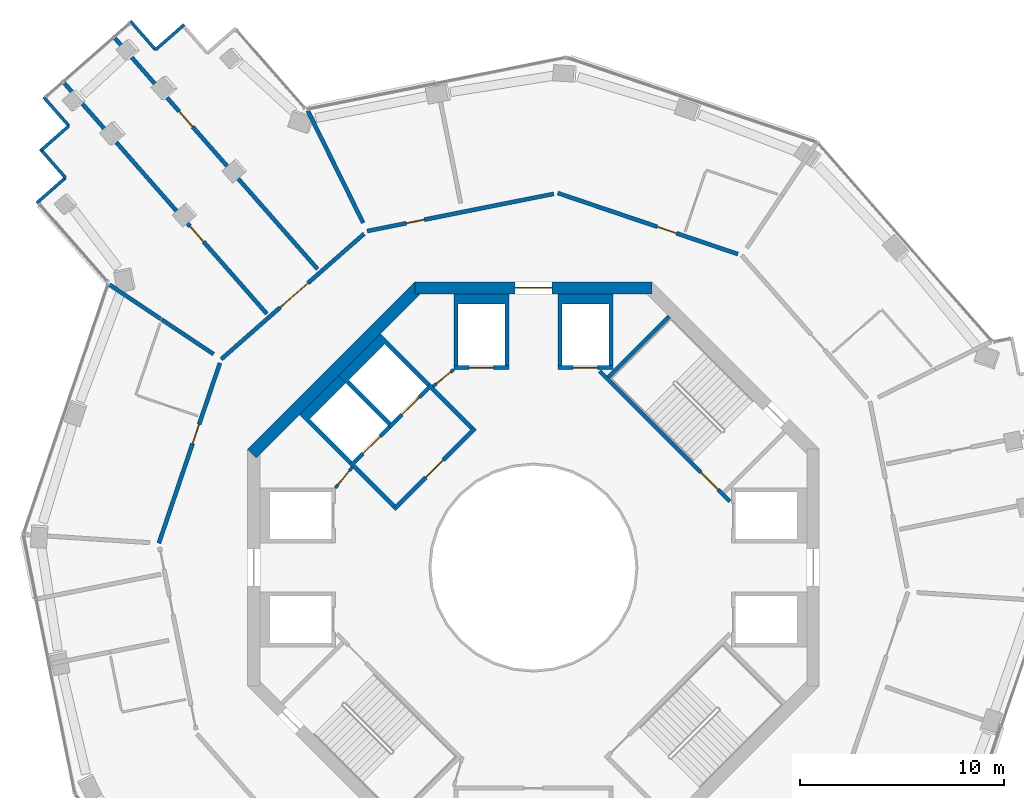
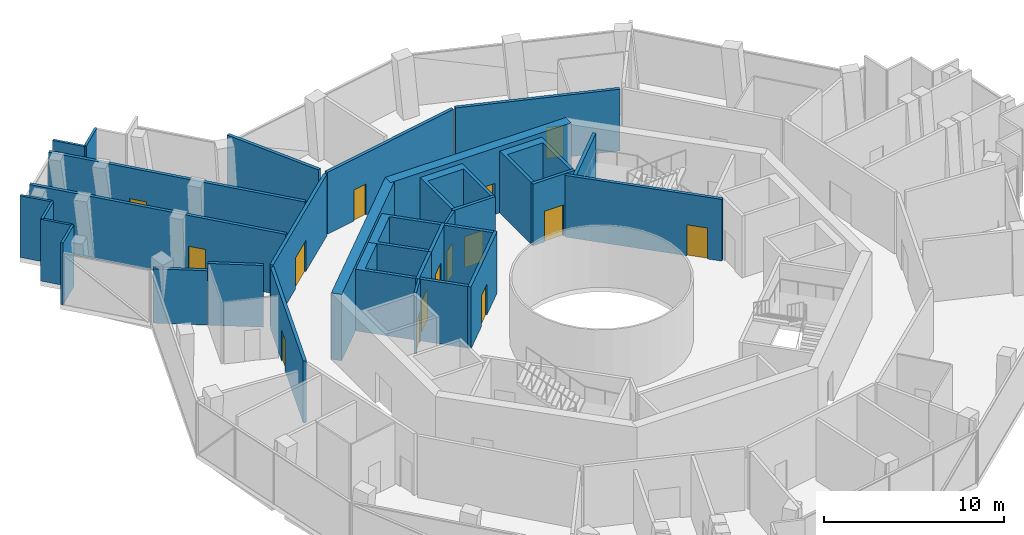
# One storey, part 13 of 17: 32 walls, 15 doors, 15 openings.
"""IFC4 building model written with IfcOpenShell, lengths in metres."""

from ifc_helpers import new_model, si_unit, direction, frame, frame_2d, origin, place, context, subcontext, project, spatial, polyline, rectangle, outline, extrude, material, layer, layer_set, type_object, element, fill, save


model = new_model("IFC4")

# Units and contexts
model_context = context("Model", 3, precision=1e-05, world=origin(), true_north=direction((0.0, 1.0)))
body_context = subcontext(model_context, "Body", "Model", "MODEL_VIEW")
ifc_project = project(units=[si_unit("LENGTHUNIT", "METRE"), si_unit("AREAUNIT", "SQUARE_METRE"), si_unit("VOLUMEUNIT", "CUBIC_METRE"), si_unit("PLANEANGLEUNIT", "RADIAN"), si_unit("MASSUNIT", "GRAM", prefix="KILO")], contexts=[model_context])

# Site, building, storey
site_placement = place(None, origin())
site = spatial("IfcSite", under=ifc_project, at=site_placement, CompositionType="ELEMENT")
building_placement = place(site_placement, origin())
building = spatial("IfcBuilding", under=site, at=building_placement, Name="Verdalira Terraces Hotel", CompositionType="ELEMENT")
storey_placement = place(building_placement, frame((0.0, 0.0, 201.0)))
storey = spatial("IfcBuildingStorey", under=building, at=storey_placement, Name="L49", CompositionType="ELEMENT", Elevation=201.0)

# Wall
ifc_material_1 = material(Name="Concrete C50", Category="concrete")
ifc_layer_1 = layer(ifc_material_1, 0.199951171875)
ifc_layer_set_1 = layer_set([ifc_layer_1], Name="Core RC wall 200 C50")
wall_type_1 = type_object("IfcWallType", Name="Core RC wall 200 C50", PredefinedType="SOLIDWALL", material=ifc_layer_set_1)
wall_1_placement = place(storey_placement, origin())
element("IfcWall", 1, at=wall_1_placement, inside=storey, type_object=wall_type_1, Name="L49 shaft wall N1", PredefinedType="SOLIDWALL", context=body_context, shape_type="SweptSolid", body=[
    extrude(outline(polyline([(3.899902, 9.899902), (3.699951, 9.899902), (3.699951, 12.899902), (1.399902, 12.899902), (1.399902, 9.899902), (1.199951, 9.899902), (1.199951, 13.399902), (3.899902, 13.399902), (3.899902, 9.899902)])), origin(), (0.0, 0.0, 1.0), 4.189941),
])

# Wall, opening, door
wall_2_placement = place(storey_placement, frame((1.199951, 9.800049, 0.0), z_axis=(0.0, 0.0, 1.0), x_axis=(1.0, 0.0, 0.0)))
wall_2 = element("IfcWall", 2, at=wall_2_placement, inside=storey, type_object=wall_type_1, Name="L49 shaft front wall N1", PredefinedType="SOLIDWALL", context=body_context, shape_type="SweptSolid", body=[
    extrude(rectangle(XDim=2.699951, YDim=0.199951, at=frame_2d((1.350098, 0.0))), origin(), (0.0, 0.0, 1.0), 4.189941),
])
opening_1_placement = place(wall_2_placement, frame((0.75, 0.0, 0.0)))
opening_1 = element("IfcOpeningElement", 3, at=opening_1_placement, cuts=wall_2, Name="Opening LD-L49-804", PredefinedType="OPENING", context=body_context, shape_type="SweptSolid", body=[
    extrude(rectangle(XDim=1.199951, YDim=2.100098, at=frame_2d((0.600098, 1.050049))), frame((0.0, 0.109863, 0.0), z_axis=(0.0, -1.0, 0.0), x_axis=(1.0, 0.0, 0.0)), (0.0, 0.0, 1.0), 0.219971),
])
ifc_material_2 = material(Name="Stainless steel", Category="steel")
door_type_1 = type_object("IfcDoorType", Name="Landing door 1200 x 2100", OperationType="NOTDEFINED", PredefinedType="DOOR", material=ifc_material_2)
door_1_placement = place(opening_1_placement, origin())
door_1 = element("IfcDoor", 4, at=door_1_placement, inside=storey, type_object=door_type_1, Name="Lift landing door HR3 L49", OperationType="DOUBLE_DOOR_SLIDING", OverallHeight=2.10009765625, OverallWidth=1.199951171875, PredefinedType="DOOR", context=body_context, shape_type="SweptSolid", body=[
    extrude(rectangle(XDim=1.199951, YDim=2.100098, at=frame_2d((0.600098, 1.050049))), frame((0.0, 0.024902, 0.0), z_axis=(0.0, -1.0, 0.0), x_axis=(1.0, 0.0, 0.0)), (0.0, 0.0, 1.0), 0.050049),
])
fill(opening_1, door_1)

# Wall
wall_3_placement = place(storey_placement, origin())
element("IfcWall", 5, at=wall_3_placement, inside=storey, type_object=wall_type_1, Name="L49 shaft wall N2", PredefinedType="SOLIDWALL", context=body_context, shape_type="SweptSolid", body=[
    extrude(outline(polyline([(-3.899902, 13.399902), (-1.199951, 13.399902), (-1.199951, 9.899902), (-1.399902, 9.899902), (-1.399902, 12.899902), (-3.699951, 12.899902), (-3.699951, 9.899902), (-3.899902, 9.899902), (-3.899902, 13.399902)])), origin(), (0.0, 0.0, 1.0), 4.189941),
])

# Wall, opening, door
wall_4_placement = place(storey_placement, frame((-1.199951, 9.800049, 0.0), z_axis=(0.0, 0.0, 1.0), x_axis=(-1.0, 0.0, 0.0)))
wall_4 = element("IfcWall", 6, at=wall_4_placement, inside=storey, type_object=wall_type_1, Name="L49 shaft front wall N2", PredefinedType="SOLIDWALL", context=body_context, shape_type="SweptSolid", body=[
    extrude(rectangle(XDim=2.699951, YDim=0.199951, at=frame_2d((1.350098, 0.0))), origin(), (0.0, 0.0, 1.0), 4.189941),
])
opening_2_placement = place(wall_4_placement, frame((0.75, 0.0, 0.0)))
opening_2 = element("IfcOpeningElement", 7, at=opening_2_placement, cuts=wall_4, Name="Opening LD-L49-805", PredefinedType="OPENING", context=body_context, shape_type="SweptSolid", body=[
    extrude(rectangle(XDim=1.199951, YDim=2.100098, at=frame_2d((0.600098, 1.050049))), frame((0.0, 0.109863, 0.0), z_axis=(0.0, -1.0, 0.0), x_axis=(1.0, 0.0, 0.0)), (0.0, 0.0, 1.0), 0.219971),
])
door_2_placement = place(opening_2_placement, origin())
door_2 = element("IfcDoor", 8, at=door_2_placement, inside=storey, type_object=door_type_1, Name="Lift landing door HR4 L49", OperationType="DOUBLE_DOOR_SLIDING", OverallHeight=2.10009765625, OverallWidth=1.199951171875, PredefinedType="DOOR", context=body_context, shape_type="SweptSolid", body=[
    extrude(rectangle(XDim=1.199951, YDim=2.100098, at=frame_2d((0.600098, 1.050049))), frame((0.0, 0.024902, 0.0), z_axis=(0.0, -1.0, 0.0), x_axis=(1.0, 0.0, 0.0)), (0.0, 0.0, 1.0), 0.050049),
])
fill(opening_2, door_2)

# Wall
wall_5_placement = place(storey_placement, origin())
element("IfcWall", 9, at=wall_5_placement, inside=storey, type_object=wall_type_1, Name="L49 shaft wall F1", PredefinedType="SOLIDWALL", context=body_context, shape_type="SweptSolid", body=[
    extrude(outline(polyline([(-9.545898, 9.404541), (-7.495361, 11.455078), (-5.055908, 9.015625), (-5.197266, 8.874268), (-7.283203, 10.960205), (-9.051025, 9.192383), (-6.965088, 7.106445), (-7.106445, 6.965088), (-9.545898, 9.404541)])), origin(), (0.0, 0.0, 1.0), 4.189941),
])

# Wall, opening, door
wall_6_placement = place(storey_placement, frame((-4.985107, 8.944824, 0.0), z_axis=(0.0, 0.0, 1.0), x_axis=(-0.707106781, -0.707106781, 0.0)))
wall_6 = element("IfcWall", 10, at=wall_6_placement, inside=storey, type_object=wall_type_1, Name="L49 shaft front wall F1", PredefinedType="SOLIDWALL", context=body_context, shape_type="SweptSolid", body=[
    extrude(rectangle(XDim=2.899902, YDim=0.199951, at=frame_2d((1.449951, 0.0))), origin(), (0.0, 0.0, 1.0), 4.189941),
])
opening_3_placement = place(wall_6_placement, frame((0.850098, 0.0, 0.0)))
opening_3 = element("IfcOpeningElement", 11, at=opening_3_placement, cuts=wall_6, Name="Opening LD-L49-808", PredefinedType="OPENING", context=body_context, shape_type="SweptSolid", body=[
    extrude(rectangle(XDim=1.199951, YDim=2.100098, at=frame_2d((0.600098, 1.050049))), frame((0.0, 0.109863, 0.0), z_axis=(0.0, -1.0, 0.0), x_axis=(1.0, 0.0, 0.0)), (0.0, 0.0, 1.0), 0.219971),
])
door_3_placement = place(opening_3_placement, origin())
door_3 = element("IfcDoor", 12, at=door_3_placement, inside=storey, type_object=door_type_1, Name="Lift landing door LF11 L49", OperationType="DOUBLE_DOOR_SLIDING", OverallHeight=2.10009765625, OverallWidth=1.199951171875, PredefinedType="DOOR", context=body_context, shape_type="SweptSolid", body=[
    extrude(rectangle(XDim=1.199951, YDim=2.100098, at=frame_2d((0.600098, 1.050049))), frame((0.0, 0.024902, 0.0), z_axis=(0.0, -1.0, 0.0), x_axis=(1.0, 0.0, 0.0)), (0.0, 0.0, 1.0), 0.050049),
])
fill(opening_3, door_3)

# Wall
wall_7_placement = place(storey_placement, origin())
element("IfcWall", 13, at=wall_7_placement, inside=storey, type_object=wall_type_1, Name="L49 shaft wall F2", PredefinedType="SOLIDWALL", context=body_context, shape_type="SweptSolid", body=[
    extrude(outline(polyline([(-11.455078, 7.495361), (-9.545898, 9.404541), (-9.192383, 9.051025), (-10.960205, 7.283203), (-8.874268, 5.197266), (-9.015625, 5.055908), (-11.455078, 7.495361)])), origin(), (0.0, 0.0, 1.0), 4.189941),
])

# Wall, opening, door
wall_8_placement = place(storey_placement, frame((-7.035645, 6.894287, 0.0), z_axis=(0.0, 0.0, 1.0), x_axis=(-0.707106781, -0.707106781, 0.0)))
wall_8 = element("IfcWall", 14, at=wall_8_placement, inside=storey, type_object=wall_type_1, Name="L49 shaft front wall F2", PredefinedType="SOLIDWALL", context=body_context, shape_type="SweptSolid", body=[
    extrude(rectangle(XDim=2.699951, YDim=0.199951, at=frame_2d((1.350098, 0.0))), origin(), (0.0, 0.0, 1.0), 4.189941),
])
opening_4_placement = place(wall_8_placement, frame((0.649902, 0.0, 0.0)))
opening_4 = element("IfcOpeningElement", 15, at=opening_4_placement, cuts=wall_8, Name="Opening LD-L49-809", PredefinedType="OPENING", context=body_context, shape_type="SweptSolid", body=[
    extrude(rectangle(XDim=1.199951, YDim=2.100098, at=frame_2d((0.600098, 1.050049))), frame((0.0, 0.109863, 0.0), z_axis=(0.0, -1.0, 0.0), x_axis=(1.0, 0.0, 0.0)), (0.0, 0.0, 1.0), 0.219971),
])
door_4_placement = place(opening_4_placement, origin())
door_4 = element("IfcDoor", 16, at=door_4_placement, inside=storey, type_object=door_type_1, Name="Lift landing door LF12 L49", OperationType="DOUBLE_DOOR_SLIDING", OverallHeight=2.10009765625, OverallWidth=1.199951171875, PredefinedType="DOOR", context=body_context, shape_type="SweptSolid", body=[
    extrude(rectangle(XDim=1.199951, YDim=2.100098, at=frame_2d((0.600098, 1.050049))), frame((0.0, 0.024902, 0.0), z_axis=(0.0, -1.0, 0.0), x_axis=(1.0, 0.0, 0.0)), (0.0, 0.0, 1.0), 0.050049),
])
fill(opening_4, door_4)

wall_9_placement = place(storey_placement, frame((3.23999, 9.629395, 0.0), z_axis=(0.0, 0.0, 1.0), x_axis=(0.707106781, -0.707106781, 0.0)))
wall_9 = element("IfcWall", 17, at=wall_9_placement, inside=storey, type_object=wall_type_1, Name="L49 stair ST1 front wall", PredefinedType="SOLIDWALL", context=body_context, shape_type="SweptSolid", body=[
    extrude(rectangle(XDim=9.035889, YDim=0.199951, at=frame_2d((4.518066, 0.0))), origin(), (0.0, 0.0, 1.0), 4.189941),
])
opening_5_placement = place(wall_9_placement, frame((7.017822, 0.0, 0.0)))
opening_5 = element("IfcOpeningElement", 18, at=opening_5_placement, cuts=wall_9, Name="Opening L49-810", PredefinedType="OPENING", context=body_context, shape_type="SweptSolid", body=[
    extrude(rectangle(XDim=1.199951, YDim=2.100098, at=frame_2d((0.600098, 1.050049))), frame((0.0, 0.109863, 0.0), z_axis=(0.0, -1.0, 0.0), x_axis=(1.0, 0.0, 0.0)), (0.0, 0.0, 1.0), 0.219971),
])
ifc_material_3 = material(Name="Steel fire door", Category="steel")
door_type_2 = type_object("IfcDoorType", Name="Stair door 1200 x 2100", OperationType="NOTDEFINED", PredefinedType="DOOR", material=ifc_material_3)
door_5_placement = place(opening_5_placement, origin())
door_5 = element("IfcDoor", 19, at=door_5_placement, inside=storey, type_object=door_type_2, Name="Stair door ST1 L49", OperationType="SINGLE_SWING_RIGHT", OverallHeight=2.10009765625, OverallWidth=1.199951171875, PredefinedType="DOOR", context=body_context, shape_type="SweptSolid", body=[
    extrude(rectangle(XDim=1.199951, YDim=2.100098, at=frame_2d((0.600098, 1.050049))), frame((0.0, 0.024902, 0.0), z_axis=(0.0, -1.0, 0.0), x_axis=(1.0, 0.0, 0.0)), (0.0, 0.0, 1.0), 0.050049),
])
fill(opening_5, door_5)

# Wall
wall_10_placement = place(storey_placement, frame((3.677002, 9.33374, 0.0), z_axis=(0.0, 0.0, 1.0), x_axis=(0.707077716, 0.707135845, 0.0)))
element("IfcWall", 20, at=wall_10_placement, inside=storey, type_object=wall_type_1, Name="L49 stair ST1 end wall 2", PredefinedType="SOLIDWALL", context=body_context, shape_type="SweptSolid", body=[
    extrude(rectangle(XDim=4.199951, YDim=0.199951, at=frame_2d((2.100098, 0.0))), origin(), (0.0, 0.0, 1.0), 4.189941),
])

# Wall, opening, door
wall_11_placement = place(storey_placement, frame((-2.86377, 6.823486, 0.0), z_axis=(0.0, 0.0, 1.0), x_axis=(-0.707106781, -0.707106781, 0.0)))
wall_11 = element("IfcWall", 21, at=wall_11_placement, inside=storey, type_object=wall_type_1, Name="L49 fire lobby wall", PredefinedType="SOLIDWALL", context=body_context, shape_type="SweptSolid", body=[
    extrude(rectangle(XDim=5.599854, YDim=0.199951, at=frame_2d((2.799805, 0.0))), origin(), (0.0, 0.0, 1.0), 4.189941),
])
opening_6_placement = place(wall_11_placement, frame((2.199951, 0.0, 0.0)))
opening_6 = element("IfcOpeningElement", 22, at=opening_6_placement, cuts=wall_11, Name="Opening L49-819", PredefinedType="OPENING", context=body_context, shape_type="SweptSolid", body=[
    extrude(rectangle(XDim=1.199951, YDim=2.100098, at=frame_2d((0.600098, 1.050049))), frame((0.0, 0.109863, 0.0), z_axis=(0.0, -1.0, 0.0), x_axis=(1.0, 0.0, 0.0)), (0.0, 0.0, 1.0), 0.219971),
])
ifc_material_4 = material(Name="Steel fire door", Category="steel")
door_type_3 = type_object("IfcDoorType", Name="Lobby door 1200 x 2100", OperationType="NOTDEFINED", PredefinedType="DOOR", material=ifc_material_4)
door_6_placement = place(opening_6_placement, origin())
door_6 = element("IfcDoor", 23, at=door_6_placement, inside=storey, type_object=door_type_3, Name="Fire lobby door L49", OperationType="SINGLE_SWING_LEFT", OverallHeight=2.10009765625, OverallWidth=1.199951171875, PredefinedType="DOOR", context=body_context, shape_type="SweptSolid", body=[
    extrude(rectangle(XDim=1.199951, YDim=2.100098, at=frame_2d((0.600098, 1.050049))), frame((0.0, 0.024902, 0.0), z_axis=(0.0, -1.0, 0.0), x_axis=(1.0, 0.0, 0.0)), (0.0, 0.0, 1.0), 0.050049),
])
fill(opening_6, door_6)

# Walls
for number, where, z_axis, x_axis, name in (
    (24, (-3.005127, 6.823486, 0.0), (0.0, 0.0, 1.0), (-0.707106781, 0.707106781, 0.0), "L49 fire lobby wall"),
    (25, (-6.823486, 3.005127, 0.0), (0.0, 0.0, 1.0), (-0.707106781, 0.707106781, 0.0), "L49 fire lobby wall"),
):
    element("IfcWall", number, at=place(storey_placement, frame(where, z_axis=z_axis, x_axis=x_axis)), inside=storey, type_object=wall_type_1, Name=name, PredefinedType="SOLIDWALL", context=body_context, shape_type="SweptSolid", body=[
        extrude(rectangle(XDim=2.800049, YDim=0.199951, at=frame_2d((1.399902, 0.0))), origin(), (0.0, 0.0, 1.0), 4.189941),
    ])

# Wall, opening, door
ifc_material_5 = material(Name="Gypsum board partition")
ifc_layer_2 = layer(ifc_material_5, 0.14990234375)
ifc_layer_set_2 = layer_set([ifc_layer_2], Name="Core partition 150 mm")
wall_type_2 = type_object("IfcWallType", Name="Core partition 150 mm", PredefinedType="PARTITIONING", material=ifc_layer_set_2)
wall_12_placement = place(storey_placement, frame((-3.899902, 9.699951, 0.0), z_axis=(0.0, 0.0, 1.0), x_axis=(-0.775559878, -0.631274009, 0.0)))
wall_12 = element("IfcWall", 26, at=wall_12_placement, inside=storey, type_object=wall_type_2, Name="Room partition L49", PredefinedType="PARTITIONING", context=body_context, shape_type="SweptSolid", body=[
    extrude(rectangle(XDim=1.307861, YDim=0.149902, at=frame_2d((0.653809, 0.0))), origin(), (0.0, 0.0, 1.0), 4.189941),
])
opening_7_placement = place(wall_12_placement, frame((0.204102, 0.0, 0.0)))
opening_7 = element("IfcOpeningElement", 27, at=opening_7_placement, cuts=wall_12, Name="Opening L49-820", PredefinedType="OPENING", context=body_context, shape_type="SweptSolid", body=[
    extrude(rectangle(XDim=0.899902, YDim=2.100098, at=frame_2d((0.449951, 1.050049))), frame((0.0, 0.084961, 0.0), z_axis=(0.0, -1.0, 0.0), x_axis=(1.0, 0.0, 0.0)), (0.0, 0.0, 1.0), 0.169922),
])
ifc_material_6 = material(Name="Steel fire door", Category="steel")
door_type_4 = type_object("IfcDoorType", Name="Core room door 900 x 2100", OperationType="NOTDEFINED", PredefinedType="DOOR", material=ifc_material_6)
door_7_placement = place(opening_7_placement, origin())
door_7 = element("IfcDoor", 28, at=door_7_placement, inside=storey, type_object=door_type_4, Name="Door L49 room2", OperationType="SINGLE_SWING_LEFT", OverallHeight=2.10009765625, OverallWidth=0.89990234375, PredefinedType="DOOR", context=body_context, shape_type="SweptSolid", body=[
    extrude(rectangle(XDim=0.899902, YDim=2.100098, at=frame_2d((0.449951, 1.050049))), frame((0.0, 0.024902, 0.0), z_axis=(0.0, -1.0, 0.0), x_axis=(1.0, 0.0, 0.0)), (0.0, 0.0, 1.0), 0.050049),
])
fill(opening_7, door_7)

wall_13_placement = place(storey_placement, frame((-8.874268, 4.914307, 0.0), z_axis=(0.0, 0.0, 1.0), x_axis=(-0.631274009, -0.775559878, 0.0)))
wall_13 = element("IfcWall", 29, at=wall_13_placement, inside=storey, type_object=wall_type_2, Name="Room partition L49", PredefinedType="PARTITIONING", context=body_context, shape_type="SweptSolid", body=[
    extrude(rectangle(XDim=1.307861, YDim=0.149902, at=frame_2d((0.653809, 0.0))), origin(), (0.0, 0.0, 1.0), 4.189941),
])
opening_8_placement = place(wall_13_placement, frame((0.204102, 0.0, 0.0)))
opening_8 = element("IfcOpeningElement", 30, at=opening_8_placement, cuts=wall_13, Name="Opening L49-821", PredefinedType="OPENING", context=body_context, shape_type="SweptSolid", body=[
    extrude(rectangle(XDim=0.899902, YDim=2.100098, at=frame_2d((0.449951, 1.050049))), frame((0.0, 0.084961, 0.0), z_axis=(0.0, -1.0, 0.0), x_axis=(1.0, 0.0, 0.0)), (0.0, 0.0, 1.0), 0.169922),
])
door_8_placement = place(opening_8_placement, origin())
door_8 = element("IfcDoor", 31, at=door_8_placement, inside=storey, type_object=door_type_4, Name="Door L49 room3", OperationType="SINGLE_SWING_LEFT", OverallHeight=2.10009765625, OverallWidth=0.89990234375, PredefinedType="DOOR", context=body_context, shape_type="SweptSolid", body=[
    extrude(rectangle(XDim=0.899902, YDim=2.100098, at=frame_2d((0.449951, 1.050049))), frame((0.0, 0.024902, 0.0), z_axis=(0.0, -1.0, 0.0), x_axis=(1.0, 0.0, 0.0)), (0.0, 0.0, 1.0), 0.050049),
])
fill(opening_8, door_8)

ifc_material_7 = material(Name="Concrete C60", Category="concrete")
ifc_layer_3 = layer(ifc_material_7, 0.60009765625)
ifc_layer_set_3 = layer_set([ifc_layer_3], Name="Core wall 600 C60")
wall_type_3 = type_object("IfcWallType", Name="Core wall 600 C60", PredefinedType="SHEAR", material=ifc_layer_set_3)
wall_14_placement = place(storey_placement, frame((5.799072, 13.699951, 0.0), z_axis=(0.0, 0.0, 1.0), x_axis=(-1.0, 0.0, 0.0)))
wall_14 = element("IfcWall", 32, at=wall_14_placement, inside=storey, type_object=wall_type_3, Name="Core wall CW-L49-3", PredefinedType="SHEAR", context=body_context, shape_type="SweptSolid", body=[
    extrude(rectangle(XDim=11.598145, YDim=0.600098, at=frame_2d((5.799072, 0.0))), origin(), (0.0, 0.0, 1.0), 4.5),
])
opening_9_placement = place(wall_14_placement, frame((4.898926, 0.0, 0.0)))
opening_9 = element("IfcOpeningElement", 33, at=opening_9_placement, cuts=wall_14, Name="Opening L49-814", PredefinedType="OPENING", context=body_context, shape_type="SweptSolid", body=[
    extrude(rectangle(XDim=1.800049, YDim=2.100098, at=frame_2d((0.899902, 1.050049))), frame((0.0, 0.310059, 0.0), z_axis=(0.0, -1.0, 0.0), x_axis=(1.0, 0.0, 0.0)), (0.0, 0.0, 1.0), 0.620117),
])
ifc_material_8 = material(Name="Steel fire door", Category="steel")
door_type_5 = type_object("IfcDoorType", Name="Core entry door pair 1800 x 2100", OperationType="NOTDEFINED", PredefinedType="DOOR", material=ifc_material_8)
door_9_placement = place(opening_9_placement, origin())
door_9 = element("IfcDoor", 34, at=door_9_placement, inside=storey, type_object=door_type_5, Name="Core entry door L49 2", OperationType="DOUBLE_DOOR_SINGLE_SWING", OverallHeight=2.10009765625, OverallWidth=1.800048828125, PredefinedType="DOOR", context=body_context, shape_type="SweptSolid", body=[
    extrude(rectangle(XDim=1.800049, YDim=2.100098, at=frame_2d((0.899902, 1.050049))), frame((0.0, 0.024902, 0.0), z_axis=(0.0, -1.0, 0.0), x_axis=(1.0, 0.0, 0.0)), (0.0, 0.0, 1.0), 0.050049),
])
fill(opening_9, door_9)

# Wall
wall_15_placement = place(storey_placement, frame((-5.586914, 13.787842, 0.0), z_axis=(0.0, 0.0, 1.0), x_axis=(-0.707106781, -0.707106781, 0.0)))
element("IfcWall", 35, at=wall_15_placement, inside=storey, type_object=wall_type_3, Name="Core wall CW-L49-4", PredefinedType="SHEAR", context=body_context, shape_type="SweptSolid", body=[
    extrude(rectangle(XDim=11.5979, YDim=0.600098, at=frame_2d((5.798828, 0.0))), origin(), (0.0, 0.0, 1.0), 4.5),
])

# Wall, opening, door
ifc_material_9 = material(Name="Fire-rated gypsum board wall")
ifc_layer_4 = layer(ifc_material_9, 0.199951171875)
ifc_layer_set_4 = layer_set([ifc_layer_4], Name="Demising wall 200 mm")
wall_type_4 = type_object("IfcWallType", Name="Demising wall 200 mm", PredefinedType="SOLIDWALL", material=ifc_layer_set_4)
wall_16_placement = place(storey_placement, frame((-13.058594, 12.432617, 0.0), z_axis=(0.0, 0.0, 1.0), x_axis=(-0.659735881, 0.75149755, 0.0)))
wall_16 = element("IfcWall", 36, at=wall_16_placement, inside=storey, type_object=wall_type_4, Name="Demising wall", PredefinedType="SOLIDWALL", context=body_context, shape_type="SweptSolid", body=[
    extrude(rectangle(XDim=15.037598, YDim=0.199951, at=frame_2d((7.518799, 0.0))), origin(), (0.0, 0.0, 1.0), 4.189941),
])
opening_10_placement = place(wall_16_placement, frame((4.699951, 0.0, 0.0)))
opening_10 = element("IfcOpeningElement", 37, at=opening_10_placement, cuts=wall_16, Name="Opening L49-103", PredefinedType="OPENING", context=body_context, shape_type="SweptSolid", body=[
    extrude(rectangle(XDim=1.0, YDim=2.100098, at=frame_2d((0.5, 1.050049))), frame((0.0, 0.109863, 0.0), z_axis=(0.0, -1.0, 0.0), x_axis=(1.0, 0.0, 0.0)), (0.0, 0.0, 1.0), 0.219971),
])
ifc_material_10 = material(Name="Timber fire door", Category="wood")
door_type_6 = type_object("IfcDoorType", Name="Public room door 1000 x 2100", OperationType="NOTDEFINED", PredefinedType="DOOR", material=ifc_material_10)
door_10_placement = place(opening_10_placement, origin())
door_10 = element("IfcDoor", 38, at=door_10_placement, inside=storey, type_object=door_type_6, Name="Public room door 4901", OperationType="SINGLE_SWING_LEFT", OverallHeight=2.10009765625, OverallWidth=1.0, PredefinedType="DOOR", context=body_context, shape_type="SweptSolid", body=[
    extrude(rectangle(XDim=1.0, YDim=2.100098, at=frame_2d((0.5, 1.050049))), frame((0.0, 0.024902, 0.0), z_axis=(0.0, -1.0, 0.0), x_axis=(1.0, 0.0, 0.0)), (0.0, 0.0, 1.0), 0.050049),
])
fill(opening_10, door_10)

# Wall
wall_17_placement = place(storey_placement, frame((-15.663818, 10.454346, 0.0), z_axis=(0.0, 0.0, 1.0), x_axis=(-0.831769215, 0.555121583, 0.0)))
element("IfcWall", 39, at=wall_17_placement, inside=storey, type_object=wall_type_4, Name="Demising wall", PredefinedType="SOLIDWALL", context=body_context, shape_type="SweptSolid", body=[
    extrude(rectangle(XDim=3.074707, YDim=0.199951, at=frame_2d((1.537354, 0.0))), origin(), (0.0, 0.0, 1.0), 4.189941),
])

# Wall, opening, door
wall_18_placement = place(storey_placement, frame((-20.489258, 25.919434, 0.0), z_axis=(0.0, 0.0, 1.0), x_axis=(0.659726712, -0.751505599, 0.0)))
wall_18 = element("IfcWall", 40, at=wall_18_placement, inside=storey, type_object=wall_type_4, Name="Demising wall", PredefinedType="SOLIDWALL", context=body_context, shape_type="SweptSolid", body=[
    extrude(rectangle(XDim=15.037598, YDim=0.199951, at=frame_2d((7.518799, 0.0))), origin(), (0.0, 0.0, 1.0), 4.189941),
])
opening_11_placement = place(wall_18_placement, frame((4.75, 0.0, 0.0)))
opening_11 = element("IfcOpeningElement", 41, at=opening_11_placement, cuts=wall_18, Name="Opening L49-102", PredefinedType="OPENING", context=body_context, shape_type="SweptSolid", body=[
    extrude(rectangle(XDim=1.0, YDim=2.100098, at=frame_2d((0.5, 1.050049))), frame((0.0, 0.109863, 0.0), z_axis=(0.0, -1.0, 0.0), x_axis=(1.0, 0.0, 0.0)), (0.0, 0.0, 1.0), 0.219971),
])
door_11_placement = place(opening_11_placement, origin())
door_11 = element("IfcDoor", 42, at=door_11_placement, inside=storey, type_object=door_type_6, Name="Public room door 4901", OperationType="SINGLE_SWING_LEFT", OverallHeight=2.10009765625, OverallWidth=1.0, PredefinedType="DOOR", context=body_context, shape_type="SweptSolid", body=[
    extrude(rectangle(XDim=1.0, YDim=2.100098, at=frame_2d((0.5, 1.050049))), frame((0.0, 0.024902, 0.0), z_axis=(0.0, -1.0, 0.0), x_axis=(1.0, 0.0, 0.0)), (0.0, 0.0, 1.0), 0.050049),
])
fill(opening_11, door_11)

# Wall
ifc_material_11 = material(Name="Fire-rated gypsum board wall")
ifc_layer_5 = layer(ifc_material_11, 0.199951171875)
ifc_layer_set_5 = layer_set([ifc_layer_5], Name="Demising wall 200 mm to beam soffit")
wall_type_5 = type_object("IfcWallType", Name="Demising wall 200 mm to beam soffit", PredefinedType="SOLIDWALL", material=ifc_layer_set_5)
wall_19_placement = place(storey_placement, frame((-18.259277, 12.186768, 0.0), z_axis=(0.0, 0.0, 1.0), x_axis=(-0.83178828, 0.555093017, 0.0)))
element("IfcWall", 43, at=wall_19_placement, inside=storey, type_object=wall_type_5, Name="Demising wall", PredefinedType="SOLIDWALL", context=body_context, shape_type="SweptSolid", body=[
    extrude(rectangle(XDim=3.011475, YDim=0.199951, at=frame_2d((1.505859, 0.0))), origin(), (0.0, 0.0, 1.0), 3.689941),
])

# Wall, opening, door
ifc_material_12 = material(Name="Fire-rated gypsum board wall")
ifc_layer_6 = layer(ifc_material_12, 0.199951171875)
ifc_layer_set_6 = layer_set([ifc_layer_6], Name="Guest corridor wall 200 mm")
wall_type_6 = type_object("IfcWallType", Name="Guest corridor wall 200 mm", PredefinedType="SOLIDWALL", material=ifc_layer_set_6)
wall_20_placement = place(storey_placement, frame((-18.345947, 1.192871, 0.0), z_axis=(0.0, 0.0, 1.0), x_axis=(0.320932913, 0.94710193, 0.0)))
wall_20 = element("IfcWall", 44, at=wall_20_placement, inside=storey, type_object=wall_type_6, Name="Guest corridor wall", PredefinedType="SOLIDWALL", context=body_context, shape_type="SweptSolid", body=[
    extrude(rectangle(XDim=9.31665, YDim=0.199951, at=frame_2d((4.658203, 0.0))), origin(), (0.0, 0.0, 1.0), 4.189941),
])
opening_12_placement = place(wall_20_placement, frame((5.149902, 0.0, 0.0)))
opening_12 = element("IfcOpeningElement", 45, at=opening_12_placement, cuts=wall_20, Name="Opening L49-104", PredefinedType="OPENING", context=body_context, shape_type="SweptSolid", body=[
    extrude(rectangle(XDim=1.0, YDim=2.100098, at=frame_2d((0.5, 1.050049))), frame((0.0, 0.109863, 0.0), z_axis=(0.0, -1.0, 0.0), x_axis=(1.0, 0.0, 0.0)), (0.0, 0.0, 1.0), 0.219971),
])
ifc_material_13 = material(Name="Timber fire door", Category="wood")
door_type_7 = type_object("IfcDoorType", Name="Guest entry door 1000 x 2100", OperationType="NOTDEFINED", PredefinedType="DOOR", material=ifc_material_13)
door_12_placement = place(opening_12_placement, origin())
door_12 = element("IfcDoor", 46, at=door_12_placement, inside=storey, type_object=door_type_7, Name="Guest entry door 4902", OperationType="SINGLE_SWING_LEFT", OverallHeight=2.10009765625, OverallWidth=1.0, PredefinedType="DOOR", context=body_context, shape_type="SweptSolid", body=[
    extrude(rectangle(XDim=1.0, YDim=2.100098, at=frame_2d((0.5, 1.050049))), frame((0.0, 0.024902, 0.0), z_axis=(0.0, -1.0, 0.0), x_axis=(1.0, 0.0, 0.0)), (0.0, 0.0, 1.0), 0.050049),
])
fill(opening_12, door_12)

wall_21_placement = place(storey_placement, frame((-15.291748, 10.206055, 0.0), z_axis=(0.0, 0.0, 1.0), x_axis=(0.751501064, 0.659731878, 0.0)))
wall_21 = element("IfcWall", 47, at=wall_21_placement, inside=storey, type_object=wall_type_6, Name="Guest corridor wall", PredefinedType="SOLIDWALL", context=body_context, shape_type="SweptSolid", body=[
    extrude(rectangle(XDim=9.31665, YDim=0.199951, at=frame_2d((4.658203, 0.0))), origin(), (0.0, 0.0, 1.0), 4.189941),
])
opening_13_placement = place(wall_21_placement, frame((3.847412, 0.0, 0.0)))
opening_13 = element("IfcOpeningElement", 48, at=opening_13_placement, cuts=wall_21, Name="Opening L49-101", PredefinedType="OPENING", context=body_context, shape_type="SweptSolid", body=[
    extrude(rectangle(XDim=1.800049, YDim=2.100098, at=frame_2d((0.899902, 1.050049))), frame((0.0, 0.109863, 0.0), z_axis=(0.0, -1.0, 0.0), x_axis=(1.0, 0.0, 0.0)), (0.0, 0.0, 1.0), 0.219971),
])
ifc_material_14 = material(Name="Timber fire door", Category="wood")
door_type_8 = type_object("IfcDoorType", Name="Public room double door 1800 x 2100", OperationType="NOTDEFINED", PredefinedType="DOOR", material=ifc_material_14)
door_13_placement = place(opening_13_placement, origin())
door_13 = element("IfcDoor", 49, at=door_13_placement, inside=storey, type_object=door_type_8, Name="Public room double door 4901", OperationType="DOUBLE_DOOR_SINGLE_SWING", OverallHeight=2.10009765625, OverallWidth=1.800048828125, PredefinedType="DOOR", context=body_context, shape_type="SweptSolid", body=[
    extrude(rectangle(XDim=1.800049, YDim=2.100098, at=frame_2d((0.899902, 1.050049))), frame((0.0, 0.024902, 0.0), z_axis=(0.0, -1.0, 0.0), x_axis=(1.0, 0.0, 0.0)), (0.0, 0.0, 1.0), 0.050049),
])
fill(opening_13, door_13)

wall_22_placement = place(storey_placement, frame((-8.139893, 16.484619, 0.0), z_axis=(0.0, 0.0, 1.0), x_axis=(0.980682347, 0.195607093, 0.0)))
wall_22 = element("IfcWall", 50, at=wall_22_placement, inside=storey, type_object=wall_type_6, Name="Guest corridor wall", PredefinedType="SOLIDWALL", context=body_context, shape_type="SweptSolid", body=[
    extrude(rectangle(XDim=9.315918, YDim=0.199951, at=frame_2d((4.657959, 0.0))), origin(), (0.0, 0.0, 1.0), 4.189941),
])
opening_14_placement = place(wall_22_placement, frame((1.949951, 0.0, 0.0)))
opening_14 = element("IfcOpeningElement", 51, at=opening_14_placement, cuts=wall_22, Name="Opening L49-122", PredefinedType="OPENING", context=body_context, shape_type="SweptSolid", body=[
    extrude(rectangle(XDim=0.899902, YDim=2.100098, at=frame_2d((0.449951, 1.050049))), frame((0.0, 0.109863, 0.0), z_axis=(0.0, -1.0, 0.0), x_axis=(1.0, 0.0, 0.0)), (0.0, 0.0, 1.0), 0.219971),
])
ifc_material_15 = material(Name="Steel fire door", Category="steel")
door_type_9 = type_object("IfcDoorType", Name="Service room door 900 x 2100", OperationType="NOTDEFINED", PredefinedType="DOOR", material=ifc_material_15)
door_14_placement = place(opening_14_placement, origin())
door_14 = element("IfcDoor", 52, at=door_14_placement, inside=storey, type_object=door_type_9, Name="Service room door 4911", OperationType="SINGLE_SWING_LEFT", OverallHeight=2.10009765625, OverallWidth=0.89990234375, PredefinedType="DOOR", context=body_context, shape_type="SweptSolid", body=[
    extrude(rectangle(XDim=0.899902, YDim=2.100098, at=frame_2d((0.449951, 1.050049))), frame((0.0, 0.024902, 0.0), z_axis=(0.0, -1.0, 0.0), x_axis=(1.0, 0.0, 0.0)), (0.0, 0.0, 1.0), 0.050049),
])
fill(opening_14, door_14)

wall_23_placement = place(storey_placement, frame((1.193359, 18.345947, 0.0), z_axis=(0.0, 0.0, 1.0), x_axis=(0.947096531, -0.320948844, 0.0)))
wall_23 = element("IfcWall", 53, at=wall_23_placement, inside=storey, type_object=wall_type_6, Name="Guest corridor wall", PredefinedType="SOLIDWALL", context=body_context, shape_type="SweptSolid", body=[
    extrude(rectangle(XDim=9.316162, YDim=0.199951, at=frame_2d((4.658203, 0.0))), origin(), (0.0, 0.0, 1.0), 4.189941),
])
opening_15_placement = place(wall_23_placement, frame((5.149902, 0.0, 0.0)))
opening_15 = element("IfcOpeningElement", 54, at=opening_15_placement, cuts=wall_23, Name="Opening L49-120", PredefinedType="OPENING", context=body_context, shape_type="SweptSolid", body=[
    extrude(rectangle(XDim=1.0, YDim=2.100098, at=frame_2d((0.5, 1.050049))), frame((0.0, 0.109863, 0.0), z_axis=(0.0, -1.0, 0.0), x_axis=(1.0, 0.0, 0.0)), (0.0, 0.0, 1.0), 0.219971),
])
door_15_placement = place(opening_15_placement, origin())
door_15 = element("IfcDoor", 55, at=door_15_placement, inside=storey, type_object=door_type_7, Name="Guest entry door 4910", OperationType="SINGLE_SWING_LEFT", OverallHeight=2.10009765625, OverallWidth=1.0, PredefinedType="DOOR", context=body_context, shape_type="SweptSolid", body=[
    extrude(rectangle(XDim=1.0, YDim=2.100098, at=frame_2d((0.5, 1.050049))), frame((0.0, 0.024902, 0.0), z_axis=(0.0, -1.0, 0.0), x_axis=(1.0, 0.0, 0.0)), (0.0, 0.0, 1.0), 0.050049),
])
fill(opening_15, door_15)

# Walls
ifc_material_16 = material(Name="Fire-rated gypsum board wall")
ifc_layer_7 = layer(ifc_material_16, 0.199951171875)
ifc_layer_set_7 = layer_set([ifc_layer_7], Name="Service room wall 200 mm")
wall_type_7 = type_object("IfcWallType", Name="Service room wall 200 mm", PredefinedType="SOLIDWALL", material=ifc_layer_set_7)
wall_24_placement = place(storey_placement, frame((-11.052979, 22.383789, 0.0), z_axis=(0.0, 0.0, 1.0), x_axis=(0.442764901, -0.896637743, 0.0)))
element("IfcWall", 56, at=wall_24_placement, inside=storey, type_object=wall_type_7, Name="Service room wall", PredefinedType="SOLIDWALL", context=body_context, shape_type="SweptSolid", body=[
    extrude(rectangle(XDim=6.13208, YDim=0.199951, at=frame_2d((3.065918, 0.0))), origin(), (0.0, 0.0, 1.0), 4.189941),
])
ifc_material_17 = material(Name="Terracotta cladding", Category="masonry")
ifc_layer_8 = layer(ifc_material_17, 0.14990234375)
ifc_layer_set_8 = layer_set([ifc_layer_8], Name="Terracotta clad wall 150")
wall_type_8 = type_object("IfcWallType", Name="Terracotta clad wall 150", PredefinedType="SOLIDWALL", material=ifc_layer_set_8)
wall_25_placement = place(storey_placement, frame((-17.098633, 26.600586, 0.0), z_axis=(0.0, 0.0, 1.0), x_axis=(-0.751518957, -0.659711495, 0.0)))
element("IfcWall", 57, at=wall_25_placement, inside=storey, type_object=wall_type_8, Name="Terracotta cladding wall", PredefinedType="SOLIDWALL", context=body_context, shape_type="SweptSolid", body=[
    extrude(rectangle(XDim=1.874756, YDim=0.149902, at=frame_2d((0.9375, 0.0))), origin(), (0.0, 0.0, 1.0), 4.189941),
])
for number, where, z_axis, x_axis, name in (
    (58, (-18.507568, 25.36377, 0.0), (0.0, 0.0, 1.0), (-0.659785033, 0.751454396, 0.0), "Terracotta cladding wall"),
    (59, (-23.990723, 23.045166, 0.0), (0.0, 0.0, 1.0), (0.659785033, -0.751454396, 0.0), "Terracotta cladding wall"),
):
    element("IfcWall", number, at=place(storey_placement, frame(where, z_axis=z_axis, x_axis=x_axis)), inside=storey, type_object=wall_type_8, Name=name, PredefinedType="SOLIDWALL", context=body_context, shape_type="SweptSolid", body=[
        extrude(rectangle(XDim=1.875, YDim=0.149902, at=frame_2d((0.9375, 0.0))), origin(), (0.0, 0.0, 1.0), 4.189941),
    ])
wall_26_placement = place(storey_placement, frame((-22.753662, 21.63623, 0.0), z_axis=(0.0, 0.0, 1.0), x_axis=(-0.751466469, -0.659771283, 0.0)))
element("IfcWall", 60, at=wall_26_placement, inside=storey, type_object=wall_type_8, Name="Terracotta cladding wall", PredefinedType="SOLIDWALL", context=body_context, shape_type="SweptSolid", body=[
    extrude(rectangle(XDim=1.799805, YDim=0.149902, at=frame_2d((0.899902, 0.0))), origin(), (0.0, 0.0, 1.0), 4.189941),
])
wall_27_placement = place(storey_placement, frame((-24.155762, 20.504883, 0.0), z_axis=(0.0, 0.0, 1.0), x_axis=(0.659785033, -0.751454396, 0.0)))
element("IfcWall", 61, at=wall_27_placement, inside=storey, type_object=wall_type_8, Name="Terracotta cladding wall", PredefinedType="SOLIDWALL", context=body_context, shape_type="SweptSolid", body=[
    extrude(rectangle(XDim=1.875, YDim=0.149902, at=frame_2d((0.9375, 0.0))), origin(), (0.0, 0.0, 1.0), 4.189941),
])
wall_28_placement = place(storey_placement, frame((-22.918701, 19.095947, 0.0), z_axis=(0.0, 0.0, 1.0), x_axis=(-0.751511072, -0.659720478, 0.0)))
element("IfcWall", 62, at=wall_28_placement, inside=storey, type_object=wall_type_8, Name="Terracotta cladding wall", PredefinedType="SOLIDWALL", context=body_context, shape_type="SweptSolid", body=[
    extrude(rectangle(XDim=1.875244, YDim=0.149902, at=frame_2d((0.9375, 0.0))), origin(), (0.0, 0.0, 1.0), 4.189941),
])

save(model, "model.ifc")
